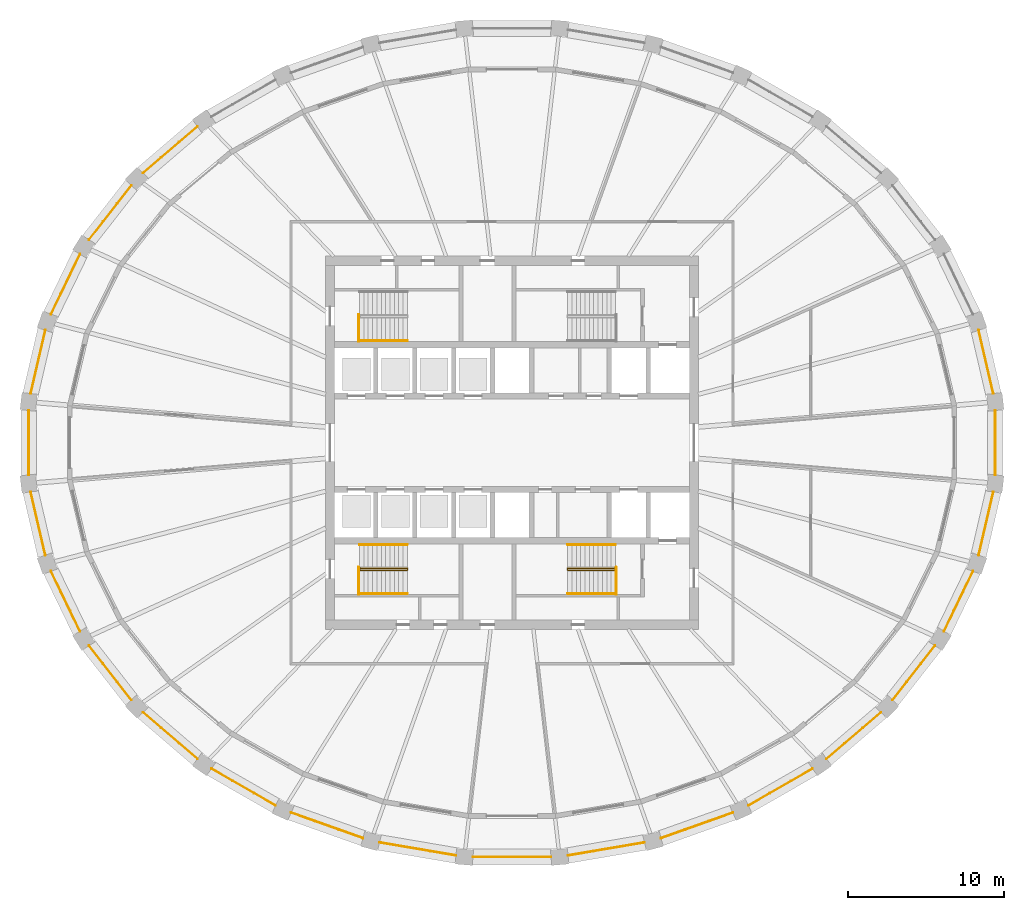
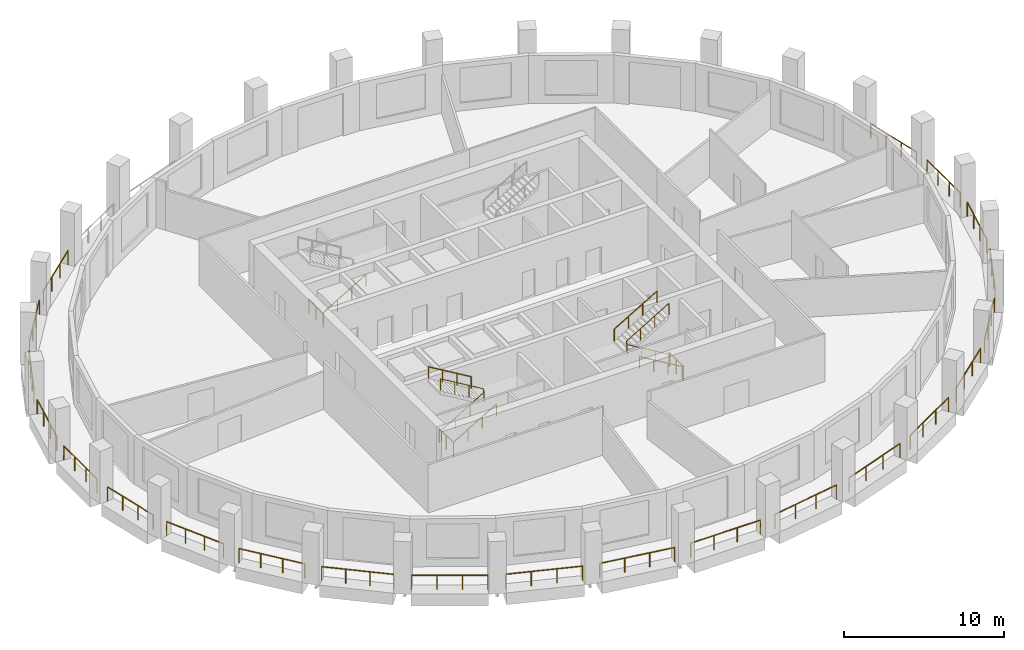
# One storey, part 8 of 10: 32 railings.
"""IFC4 building model written with IfcOpenShell, lengths in metres."""

from ifc_helpers import new_model, si_unit, direction, frame, origin, origin_2d, place, context, subcontext, project, spatial, circle, extrude, material, type_object, element, save


model = new_model("IFC4")

# Units and contexts
model_context = context("Model", 3, precision=1e-05, world=origin(), true_north=direction((0.0, 1.0)))
body_context = subcontext(model_context, "Body", "Model", "MODEL_VIEW")
ifc_project = project(units=[si_unit("LENGTHUNIT", "METRE"), si_unit("AREAUNIT", "SQUARE_METRE"), si_unit("VOLUMEUNIT", "CUBIC_METRE"), si_unit("PLANEANGLEUNIT", "RADIAN"), si_unit("MASSUNIT", "GRAM", prefix="KILO")], contexts=[model_context])

# Site, building, storey
site_placement = place(None, origin())
site = spatial("IfcSite", under=ifc_project, at=site_placement, CompositionType="ELEMENT")
building_placement = place(site_placement, origin())
building = spatial("IfcBuilding", under=site, at=building_placement, Name="Halqa Exchange Tower", CompositionType="ELEMENT")
storey_placement = place(building_placement, frame((0.0, 0.0, 246.89990234375)))
storey = spatial("IfcBuildingStorey", under=building, at=storey_placement, Name="L57", CompositionType="ELEMENT", Elevation=246.89990234375)

# Railings
ifc_material = material(Name="Stainless steel", Category="steel")
railing_type_1 = type_object("IfcRailingType", Name="Guard 1100 stainless steel", PredefinedType="GUARDRAIL", material=ifc_material)
railing_1_placement = place(storey_placement, frame((30.935791015625, 3.157958984375, 0.0)))
element("IfcRailing", 1, at=railing_1_placement, inside=storey, type_object=railing_type_1, Name="Loggia guard 1", PredefinedType="GUARDRAIL", context=body_context, shape_type="SweptSolid", body=[
    extrude(circle(Radius=0.02392578125, at=origin_2d()), frame((0.0, 0.0, 1.076171875), z_axis=(-0.226023818634, 0.974121775452, 0.0), x_axis=(-0.974121775452, -0.226023818634, 0.0)), (0.0, 0.0, 1.0), 4.18017578125),
    extrude(circle(Radius=0.02099609375, at=origin_2d()), origin(), (0.0, 0.0, 1.0), 1.052001953125),
    extrude(circle(Radius=0.02099609375, at=origin_2d()), frame((-0.31494140625, 1.357421875, 0.0)), (0.0, 0.0, 1.0), 1.052001953125),
    extrude(circle(Radius=0.02099609375, at=origin_2d()), frame((-0.6298828125, 2.714599609375, 0.0)), (0.0, 0.0, 1.0), 1.052001953125),
    extrude(circle(Radius=0.02099609375, at=origin_2d()), frame((-0.94482421875, 4.072021484375, 0.0)), (0.0, 0.0, 1.0), 1.052001953125),
])
railing_2_placement = place(storey_placement, frame((-20.21728515625, 20.321533203125, 0.0)))
element("IfcRailing", 2, at=railing_2_placement, inside=storey, type_object=railing_type_1, Name="Loggia guard 12", PredefinedType="GUARDRAIL", context=body_context, shape_type="SweptSolid", body=[
    extrude(circle(Radius=0.02392578125, at=origin_2d()), frame((0.0, 0.0, 1.076171875), z_axis=(-0.759260350244, -0.650787000905, 0.0), x_axis=(0.650787000905, -0.759260350244, 0.0)), (0.0, 0.0, 1.0), 4.59814453125),
    extrude(circle(Radius=0.02099609375, at=origin_2d()), origin(), (0.0, 0.0, 1.0), 1.052001953125),
    extrude(circle(Radius=0.02099609375, at=origin_2d()), frame((-1.163818359375, -0.99755859375, 0.0)), (0.0, 0.0, 1.0), 1.052001953125),
    extrude(circle(Radius=0.02099609375, at=origin_2d()), frame((-2.327392578125, -1.994873046875, 0.0)), (0.0, 0.0, 1.0), 1.052001953125),
    extrude(circle(Radius=0.02099609375, at=origin_2d()), frame((-3.4912109375, -2.992431640625, 0.0)), (0.0, 0.0, 1.0), 1.052001953125),
])
railing_3_placement = place(storey_placement, frame((-24.464111328125, 16.537353515625, 0.0)))
element("IfcRailing", 3, at=railing_3_placement, inside=storey, type_object=railing_type_1, Name="Loggia guard 13", PredefinedType="GUARDRAIL", context=body_context, shape_type="SweptSolid", body=[
    extrude(circle(Radius=0.02392578125, at=origin_2d()), frame((0.0, 0.0, 1.076171875), z_axis=(-0.614837099367, -0.788654132838, 0.0), x_axis=(0.788654132838, -0.614837099367, 0.0)), (0.0, 0.0, 1.0), 4.4287109375),
    extrude(circle(Radius=0.02099609375, at=origin_2d()), origin(), (0.0, 0.0, 1.0), 1.052001953125),
    extrude(circle(Radius=0.02099609375, at=origin_2d()), frame((-0.90771484375, -1.164306640625, 0.0)), (0.0, 0.0, 1.0), 1.052001953125),
    extrude(circle(Radius=0.02099609375, at=origin_2d()), frame((-1.815185546875, -2.328369140625, 0.0)), (0.0, 0.0, 1.0), 1.052001953125),
    extrude(circle(Radius=0.02099609375, at=origin_2d()), frame((-2.722900390625, -3.49267578125, 0.0)), (0.0, 0.0, 1.0), 1.052001953125),
])
railing_4_placement = place(storey_placement, frame((-27.764404296875, 12.115478515625, 0.0)))
element("IfcRailing", 4, at=railing_4_placement, inside=storey, type_object=railing_type_1, Name="Loggia guard 14", PredefinedType="GUARDRAIL", context=body_context, shape_type="SweptSolid", body=[
    extrude(circle(Radius=0.02392578125, at=origin_2d()), frame((0.0, 0.0, 1.076171875), z_axis=(-0.435128594947, -0.900368316779, 0.0), x_axis=(0.900368316779, -0.435128594947, 0.0)), (0.0, 0.0, 1.0), 4.281005859375),
    extrude(circle(Radius=0.02099609375, at=origin_2d()), origin(), (0.0, 0.0, 1.0), 1.052001953125),
    extrude(circle(Radius=0.02099609375, at=origin_2d()), frame((-0.620849609375, -1.284912109375, 0.0)), (0.0, 0.0, 1.0), 1.052001953125),
    extrude(circle(Radius=0.02099609375, at=origin_2d()), frame((-1.241943359375, -2.569580078125, 0.0)), (0.0, 0.0, 1.0), 1.052001953125),
    extrude(circle(Radius=0.02099609375, at=origin_2d()), frame((-1.86279296875, -3.8544921875, 0.0)), (0.0, 0.0, 1.0), 1.052001953125),
])
railing_5_placement = place(storey_placement, frame((-29.990966796875, 7.22998046875, 0.0)))
element("IfcRailing", 5, at=railing_5_placement, inside=storey, type_object=railing_type_1, Name="Loggia guard 15", PredefinedType="GUARDRAIL", context=body_context, shape_type="SweptSolid", body=[
    extrude(circle(Radius=0.02392578125, at=origin_2d()), frame((0.0, 0.0, 1.076171875), z_axis=(-0.226023818634, -0.974121775452, 0.0), x_axis=(0.974121775452, -0.226023818634, 0.0)), (0.0, 0.0, 1.0), 4.18017578125),
    extrude(circle(Radius=0.02099609375, at=origin_2d()), origin(), (0.0, 0.0, 1.0), 1.052001953125),
    extrude(circle(Radius=0.02099609375, at=origin_2d()), frame((-0.31494140625, -1.357421875, 0.0)), (0.0, 0.0, 1.0), 1.052001953125),
    extrude(circle(Radius=0.02099609375, at=origin_2d()), frame((-0.6298828125, -2.714599609375, 0.0)), (0.0, 0.0, 1.0), 1.052001953125),
    extrude(circle(Radius=0.02099609375, at=origin_2d()), frame((-0.94482421875, -4.072021484375, 0.0)), (0.0, 0.0, 1.0), 1.052001953125),
])
railing_6_placement = place(storey_placement, frame((-31.060302734375, 2.072021484375, 0.0)))
element("IfcRailing", 6, at=railing_6_placement, inside=storey, type_object=railing_type_1, Name="Loggia guard 16", PredefinedType="GUARDRAIL", context=body_context, shape_type="SweptSolid", body=[
    extrude(circle(Radius=0.02392578125, at=origin_2d()), frame((0.0, 0.0, 1.076171875), z_axis=(0.0, -1.0, 0.0), x_axis=(1.0, 0.0, 0.0)), (0.0, 0.0, 1.0), 4.14404296875),
    extrude(circle(Radius=0.02099609375, at=origin_2d()), origin(), (0.0, 0.0, 1.0), 1.052001953125),
    extrude(circle(Radius=0.02099609375, at=origin_2d()), frame((0.0, -1.38134765625, 0.0)), (0.0, 0.0, 1.0), 1.052001953125),
    extrude(circle(Radius=0.02099609375, at=origin_2d()), frame((0.0, -2.7626953125, 0.0)), (0.0, 0.0, 1.0), 1.052001953125),
    extrude(circle(Radius=0.02099609375, at=origin_2d()), frame((0.0, -4.14404296875, 0.0)), (0.0, 0.0, 1.0), 1.052001953125),
])
railing_7_placement = place(storey_placement, frame((-30.935791015625, -3.157958984375, 0.0)))
element("IfcRailing", 7, at=railing_7_placement, inside=storey, type_object=railing_type_1, Name="Loggia guard 17", PredefinedType="GUARDRAIL", context=body_context, shape_type="SweptSolid", body=[
    extrude(circle(Radius=0.02392578125, at=origin_2d()), frame((0.0, 0.0, 1.076171875), z_axis=(0.226023818634, -0.974121775452, 0.0), x_axis=(0.974121775452, 0.226023818634, 0.0)), (0.0, 0.0, 1.0), 4.18017578125),
    extrude(circle(Radius=0.02099609375, at=origin_2d()), origin(), (0.0, 0.0, 1.0), 1.052001953125),
    extrude(circle(Radius=0.02099609375, at=origin_2d()), frame((0.31494140625, -1.357421875, 0.0)), (0.0, 0.0, 1.0), 1.052001953125),
    extrude(circle(Radius=0.02099609375, at=origin_2d()), frame((0.6298828125, -2.714599609375, 0.0)), (0.0, 0.0, 1.0), 1.052001953125),
    extrude(circle(Radius=0.02099609375, at=origin_2d()), frame((0.94482421875, -4.072021484375, 0.0)), (0.0, 0.0, 1.0), 1.052001953125),
])
railing_8_placement = place(storey_placement, frame((-29.627197265625, -8.260986328125, 0.0)))
element("IfcRailing", 8, at=railing_8_placement, inside=storey, type_object=railing_type_1, Name="Loggia guard 18", PredefinedType="GUARDRAIL", context=body_context, shape_type="SweptSolid", body=[
    extrude(circle(Radius=0.02392578125, at=origin_2d()), frame((0.0, 0.0, 1.076171875), z_axis=(0.435128594947, -0.900368316779, 0.0), x_axis=(0.900368316779, 0.435128594947, 0.0)), (0.0, 0.0, 1.0), 4.281005859375),
    extrude(circle(Radius=0.02099609375, at=origin_2d()), origin(), (0.0, 0.0, 1.0), 1.052001953125),
    extrude(circle(Radius=0.02099609375, at=origin_2d()), frame((0.620849609375, -1.284912109375, 0.0)), (0.0, 0.0, 1.0), 1.052001953125),
    extrude(circle(Radius=0.02099609375, at=origin_2d()), frame((1.241943359375, -2.569580078125, 0.0)), (0.0, 0.0, 1.0), 1.052001953125),
    extrude(circle(Radius=0.02099609375, at=origin_2d()), frame((1.86279296875, -3.8544921875, 0.0)), (0.0, 0.0, 1.0), 1.052001953125),
])
railing_9_placement = place(storey_placement, frame((-27.18701171875, -13.044677734375, 0.0)))
element("IfcRailing", 9, at=railing_9_placement, inside=storey, type_object=railing_type_1, Name="Loggia guard 19", PredefinedType="GUARDRAIL", context=body_context, shape_type="SweptSolid", body=[
    extrude(circle(Radius=0.02392578125, at=origin_2d()), frame((0.0, 0.0, 1.076171875), z_axis=(0.614837099367, -0.788654132838, 0.0), x_axis=(0.788654132838, 0.614837099367, 0.0)), (0.0, 0.0, 1.0), 4.4287109375),
    extrude(circle(Radius=0.02099609375, at=origin_2d()), origin(), (0.0, 0.0, 1.0), 1.052001953125),
    extrude(circle(Radius=0.02099609375, at=origin_2d()), frame((0.90771484375, -1.164306640625, 0.0)), (0.0, 0.0, 1.0), 1.052001953125),
    extrude(circle(Radius=0.02099609375, at=origin_2d()), frame((1.815185546875, -2.328369140625, 0.0)), (0.0, 0.0, 1.0), 1.052001953125),
    extrude(circle(Radius=0.02099609375, at=origin_2d()), frame((2.722900390625, -3.49267578125, 0.0)), (0.0, 0.0, 1.0), 1.052001953125),
])
railing_10_placement = place(storey_placement, frame((-23.70849609375, -17.3291015625, 0.0)))
element("IfcRailing", 10, at=railing_10_placement, inside=storey, type_object=railing_type_1, Name="Loggia guard 20", PredefinedType="GUARDRAIL", context=body_context, shape_type="SweptSolid", body=[
    extrude(circle(Radius=0.02392578125, at=origin_2d()), frame((0.0, 0.0, 1.076171875), z_axis=(0.759260350244, -0.650787000905, 0.0), x_axis=(0.650787000905, 0.759260350244, 0.0)), (0.0, 0.0, 1.0), 4.59814453125),
    extrude(circle(Radius=0.02099609375, at=origin_2d()), origin(), (0.0, 0.0, 1.0), 1.052001953125),
    extrude(circle(Radius=0.02099609375, at=origin_2d()), frame((1.163818359375, -0.99755859375, 0.0)), (0.0, 0.0, 1.0), 1.052001953125),
    extrude(circle(Radius=0.02099609375, at=origin_2d()), frame((2.327392578125, -1.994873046875, 0.0)), (0.0, 0.0, 1.0), 1.052001953125),
    extrude(circle(Radius=0.02099609375, at=origin_2d()), frame((3.4912109375, -2.992431640625, 0.0)), (0.0, 0.0, 1.0), 1.052001953125),
])
railing_11_placement = place(storey_placement, frame((-19.322509765625, -20.952880859375, 0.0)))
element("IfcRailing", 11, at=railing_11_placement, inside=storey, type_object=railing_type_1, Name="Loggia guard 21", PredefinedType="GUARDRAIL", context=body_context, shape_type="SweptSolid", body=[
    extrude(circle(Radius=0.02392578125, at=origin_2d()), frame((0.0, 0.0, 1.076171875), z_axis=(0.867760081541, -0.496983340651, 0.0), x_axis=(0.496983340651, 0.867760081541, 0.0)), (0.0, 0.0, 1.0), 4.7626953125),
    extrude(circle(Radius=0.02099609375, at=origin_2d()), origin(), (0.0, 0.0, 1.0), 1.052001953125),
    extrude(circle(Radius=0.02099609375, at=origin_2d()), frame((1.377685546875, -0.7890625, 0.0)), (0.0, 0.0, 1.0), 1.052001953125),
    extrude(circle(Radius=0.02099609375, at=origin_2d()), frame((2.755126953125, -1.577880859375, 0.0)), (0.0, 0.0, 1.0), 1.052001953125),
    extrude(circle(Radius=0.02099609375, at=origin_2d()), frame((4.1328125, -2.366943359375, 0.0)), (0.0, 0.0, 1.0), 1.052001953125),
])
railing_12_placement = place(storey_placement, frame((-14.194091796875, -23.777099609375, 0.0)))
element("IfcRailing", 12, at=railing_12_placement, inside=storey, type_object=railing_type_1, Name="Loggia guard 22", PredefinedType="GUARDRAIL", context=body_context, shape_type="SweptSolid", body=[
    extrude(circle(Radius=0.02392578125, at=origin_2d()), frame((0.0, 0.0, 1.076171875), z_axis=(0.942363882557, -0.334589768002, 0.0), x_axis=(0.334589768002, 0.942363882557, 0.0)), (0.0, 0.0, 1.0), 4.898193359375),
    extrude(circle(Radius=0.02099609375, at=origin_2d()), origin(), (0.0, 0.0, 1.0), 1.052001953125),
    extrude(circle(Radius=0.02099609375, at=origin_2d()), frame((1.53857421875, -0.54638671875, 0.0)), (0.0, 0.0, 1.0), 1.052001953125),
    extrude(circle(Radius=0.02099609375, at=origin_2d()), frame((3.077392578125, -1.092529296875, 0.0)), (0.0, 0.0, 1.0), 1.052001953125),
    extrude(circle(Radius=0.02099609375, at=origin_2d()), frame((4.615966796875, -1.638916015625, 0.0)), (0.0, 0.0, 1.0), 1.052001953125),
])
railing_13_placement = place(storey_placement, frame((-8.517578125, -25.6923828125, 0.0)))
element("IfcRailing", 13, at=railing_13_placement, inside=storey, type_object=railing_type_1, Name="Loggia guard 23", PredefinedType="GUARDRAIL", context=body_context, shape_type="SweptSolid", body=[
    extrude(circle(Radius=0.02392578125, at=origin_2d()), frame((0.0, 0.0, 1.076171875), z_axis=(0.985769089501, -0.16810503319, 0.0), x_axis=(0.16810503319, 0.985769089501, 0.0)), (0.0, 0.0, 1.0), 4.9873046875),
    extrude(circle(Radius=0.02099609375, at=origin_2d()), origin(), (0.0, 0.0, 1.0), 1.052001953125),
    extrude(circle(Radius=0.02099609375, at=origin_2d()), frame((1.638671875, -0.279541015625, 0.0)), (0.0, 0.0, 1.0), 1.052001953125),
    extrude(circle(Radius=0.02099609375, at=origin_2d()), frame((3.277587890625, -0.558837890625, 0.0)), (0.0, 0.0, 1.0), 1.052001953125),
    extrude(circle(Radius=0.02099609375, at=origin_2d()), frame((4.916259765625, -0.83837890625, 0.0)), (0.0, 0.0, 1.0), 1.052001953125),
])
railing_14_placement = place(storey_placement, frame((-2.50927734375, -26.623046875, 0.0)))
element("IfcRailing", 14, at=railing_14_placement, inside=storey, type_object=railing_type_1, Name="Loggia guard 24", PredefinedType="GUARDRAIL", context=body_context, shape_type="SweptSolid", body=[
    extrude(circle(Radius=0.02392578125, at=origin_2d()), frame((0.0, 0.0, 1.076171875), z_axis=(1.0, 0.0, 0.0), x_axis=(0.0, 1.0, 0.0)), (0.0, 0.0, 1.0), 5.0185546875),
    extrude(circle(Radius=0.02099609375, at=origin_2d()), origin(), (0.0, 0.0, 1.0), 1.052001953125),
    extrude(circle(Radius=0.02099609375, at=origin_2d()), frame((1.6728515625, 0.0, 0.0)), (0.0, 0.0, 1.0), 1.052001953125),
    extrude(circle(Radius=0.02099609375, at=origin_2d()), frame((3.345703125, 0.0, 0.0)), (0.0, 0.0, 1.0), 1.052001953125),
    extrude(circle(Radius=0.02099609375, at=origin_2d()), frame((5.0185546875, 0.0, 0.0)), (0.0, 0.0, 1.0), 1.052001953125),
])
railing_15_placement = place(storey_placement, frame((3.601318359375, -26.53076171875, 0.0)))
element("IfcRailing", 15, at=railing_15_placement, inside=storey, type_object=railing_type_1, Name="Loggia guard 25", PredefinedType="GUARDRAIL", context=body_context, shape_type="SweptSolid", body=[
    extrude(circle(Radius=0.02392578125, at=origin_2d()), frame((0.0, 0.0, 1.076171875), z_axis=(0.985769089501, 0.16810503319, 0.0), x_axis=(-0.16810503319, 0.985769089501, 0.0)), (0.0, 0.0, 1.0), 4.9873046875),
    extrude(circle(Radius=0.02099609375, at=origin_2d()), origin(), (0.0, 0.0, 1.0), 1.052001953125),
    extrude(circle(Radius=0.02099609375, at=origin_2d()), frame((1.638671875, 0.279541015625, 0.0)), (0.0, 0.0, 1.0), 1.052001953125),
    extrude(circle(Radius=0.02099609375, at=origin_2d()), frame((3.277587890625, 0.558837890625, 0.0)), (0.0, 0.0, 1.0), 1.052001953125),
    extrude(circle(Radius=0.02099609375, at=origin_2d()), frame((4.916259765625, 0.83837890625, 0.0)), (0.0, 0.0, 1.0), 1.052001953125),
])
railing_16_placement = place(storey_placement, frame((9.578125, -25.416015625, 0.0)))
element("IfcRailing", 16, at=railing_16_placement, inside=storey, type_object=railing_type_1, Name="Loggia guard 26", PredefinedType="GUARDRAIL", context=body_context, shape_type="SweptSolid", body=[
    extrude(circle(Radius=0.02392578125, at=origin_2d()), frame((0.0, 0.0, 1.076171875), z_axis=(0.942363882557, 0.334589768002, 0.0), x_axis=(-0.334589768002, 0.942363882557, 0.0)), (0.0, 0.0, 1.0), 4.898193359375),
    extrude(circle(Radius=0.02099609375, at=origin_2d()), origin(), (0.0, 0.0, 1.0), 1.052001953125),
    extrude(circle(Radius=0.02099609375, at=origin_2d()), frame((1.53857421875, 0.54638671875, 0.0)), (0.0, 0.0, 1.0), 1.052001953125),
    extrude(circle(Radius=0.02099609375, at=origin_2d()), frame((3.077392578125, 1.092529296875, 0.0)), (0.0, 0.0, 1.0), 1.052001953125),
    extrude(circle(Radius=0.02099609375, at=origin_2d()), frame((4.615966796875, 1.638916015625, 0.0)), (0.0, 0.0, 1.0), 1.052001953125),
])
railing_17_placement = place(storey_placement, frame((15.189697265625, -23.31982421875, 0.0)))
element("IfcRailing", 17, at=railing_17_placement, inside=storey, type_object=railing_type_1, Name="Loggia guard 27", PredefinedType="GUARDRAIL", context=body_context, shape_type="SweptSolid", body=[
    extrude(circle(Radius=0.02392578125, at=origin_2d()), frame((0.0, 0.0, 1.076171875), z_axis=(0.867760081541, 0.496983340651, 0.0), x_axis=(-0.496983340651, 0.867760081541, 0.0)), (0.0, 0.0, 1.0), 4.7626953125),
    extrude(circle(Radius=0.02099609375, at=origin_2d()), origin(), (0.0, 0.0, 1.0), 1.052001953125),
    extrude(circle(Radius=0.02099609375, at=origin_2d()), frame((1.377685546875, 0.7890625, 0.0)), (0.0, 0.0, 1.0), 1.052001953125),
    extrude(circle(Radius=0.02099609375, at=origin_2d()), frame((2.755126953125, 1.577880859375, 0.0)), (0.0, 0.0, 1.0), 1.052001953125),
    extrude(circle(Radius=0.02099609375, at=origin_2d()), frame((4.1328125, 2.366943359375, 0.0)), (0.0, 0.0, 1.0), 1.052001953125),
])
railing_18_placement = place(storey_placement, frame((20.21728515625, -20.321533203125, 0.0)))
element("IfcRailing", 18, at=railing_18_placement, inside=storey, type_object=railing_type_1, Name="Loggia guard 28", PredefinedType="GUARDRAIL", context=body_context, shape_type="SweptSolid", body=[
    extrude(circle(Radius=0.02392578125, at=origin_2d()), frame((0.0, 0.0, 1.076171875), z_axis=(0.759260350244, 0.650787000905, 0.0), x_axis=(-0.650787000905, 0.759260350244, 0.0)), (0.0, 0.0, 1.0), 4.59814453125),
    extrude(circle(Radius=0.02099609375, at=origin_2d()), origin(), (0.0, 0.0, 1.0), 1.052001953125),
    extrude(circle(Radius=0.02099609375, at=origin_2d()), frame((1.163818359375, 0.99755859375, 0.0)), (0.0, 0.0, 1.0), 1.052001953125),
    extrude(circle(Radius=0.02099609375, at=origin_2d()), frame((2.327392578125, 1.994873046875, 0.0)), (0.0, 0.0, 1.0), 1.052001953125),
    extrude(circle(Radius=0.02099609375, at=origin_2d()), frame((3.4912109375, 2.992431640625, 0.0)), (0.0, 0.0, 1.0), 1.052001953125),
])
railing_19_placement = place(storey_placement, frame((24.464111328125, -16.537353515625, 0.0)))
element("IfcRailing", 19, at=railing_19_placement, inside=storey, type_object=railing_type_1, Name="Loggia guard 29", PredefinedType="GUARDRAIL", context=body_context, shape_type="SweptSolid", body=[
    extrude(circle(Radius=0.02392578125, at=origin_2d()), frame((0.0, 0.0, 1.076171875), z_axis=(0.614837099367, 0.788654132838, 0.0), x_axis=(-0.788654132838, 0.614837099367, 0.0)), (0.0, 0.0, 1.0), 4.4287109375),
    extrude(circle(Radius=0.02099609375, at=origin_2d()), origin(), (0.0, 0.0, 1.0), 1.052001953125),
    extrude(circle(Radius=0.02099609375, at=origin_2d()), frame((0.90771484375, 1.164306640625, 0.0)), (0.0, 0.0, 1.0), 1.052001953125),
    extrude(circle(Radius=0.02099609375, at=origin_2d()), frame((1.815185546875, 2.328369140625, 0.0)), (0.0, 0.0, 1.0), 1.052001953125),
    extrude(circle(Radius=0.02099609375, at=origin_2d()), frame((2.722900390625, 3.49267578125, 0.0)), (0.0, 0.0, 1.0), 1.052001953125),
])
railing_20_placement = place(storey_placement, frame((27.764404296875, -12.115478515625, 0.0)))
element("IfcRailing", 20, at=railing_20_placement, inside=storey, type_object=railing_type_1, Name="Loggia guard 30", PredefinedType="GUARDRAIL", context=body_context, shape_type="SweptSolid", body=[
    extrude(circle(Radius=0.02392578125, at=origin_2d()), frame((0.0, 0.0, 1.076171875), z_axis=(0.435128594947, 0.900368316779, 0.0), x_axis=(-0.900368316779, 0.435128594947, 0.0)), (0.0, 0.0, 1.0), 4.281005859375),
    extrude(circle(Radius=0.02099609375, at=origin_2d()), origin(), (0.0, 0.0, 1.0), 1.052001953125),
    extrude(circle(Radius=0.02099609375, at=origin_2d()), frame((0.620849609375, 1.284912109375, 0.0)), (0.0, 0.0, 1.0), 1.052001953125),
    extrude(circle(Radius=0.02099609375, at=origin_2d()), frame((1.241943359375, 2.569580078125, 0.0)), (0.0, 0.0, 1.0), 1.052001953125),
    extrude(circle(Radius=0.02099609375, at=origin_2d()), frame((1.86279296875, 3.8544921875, 0.0)), (0.0, 0.0, 1.0), 1.052001953125),
])
railing_21_placement = place(storey_placement, frame((29.990966796875, -7.22998046875, 0.0)))
element("IfcRailing", 21, at=railing_21_placement, inside=storey, type_object=railing_type_1, Name="Loggia guard 31", PredefinedType="GUARDRAIL", context=body_context, shape_type="SweptSolid", body=[
    extrude(circle(Radius=0.02392578125, at=origin_2d()), frame((0.0, 0.0, 1.076171875), z_axis=(0.226023818634, 0.974121775452, 0.0), x_axis=(-0.974121775452, 0.226023818634, 0.0)), (0.0, 0.0, 1.0), 4.18017578125),
    extrude(circle(Radius=0.02099609375, at=origin_2d()), origin(), (0.0, 0.0, 1.0), 1.052001953125),
    extrude(circle(Radius=0.02099609375, at=origin_2d()), frame((0.31494140625, 1.357421875, 0.0)), (0.0, 0.0, 1.0), 1.052001953125),
    extrude(circle(Radius=0.02099609375, at=origin_2d()), frame((0.6298828125, 2.714599609375, 0.0)), (0.0, 0.0, 1.0), 1.052001953125),
    extrude(circle(Radius=0.02099609375, at=origin_2d()), frame((0.94482421875, 4.072021484375, 0.0)), (0.0, 0.0, 1.0), 1.052001953125),
])
railing_22_placement = place(storey_placement, frame((31.060302734375, -2.072021484375, 0.0)))
element("IfcRailing", 22, at=railing_22_placement, inside=storey, type_object=railing_type_1, Name="Loggia guard 32", PredefinedType="GUARDRAIL", context=body_context, shape_type="SweptSolid", body=[
    extrude(circle(Radius=0.02392578125, at=origin_2d()), frame((0.0, 0.0, 1.076171875), z_axis=(0.0, 1.0, 0.0), x_axis=(-1.0, 0.0, 0.0)), (0.0, 0.0, 1.0), 4.14404296875),
    extrude(circle(Radius=0.02099609375, at=origin_2d()), origin(), (0.0, 0.0, 1.0), 1.052001953125),
    extrude(circle(Radius=0.02099609375, at=origin_2d()), frame((0.0, 1.38134765625, 0.0)), (0.0, 0.0, 1.0), 1.052001953125),
    extrude(circle(Radius=0.02099609375, at=origin_2d()), frame((0.0, 2.7626953125, 0.0)), (0.0, 0.0, 1.0), 1.052001953125),
    extrude(circle(Radius=0.02099609375, at=origin_2d()), frame((0.0, 4.14404296875, 0.0)), (0.0, 0.0, 1.0), 1.052001953125),
])
railing_type_2 = type_object("IfcRailingType", Name="Stair handrail 900", PredefinedType="HANDRAIL", material=ifc_material)
railing_23_placement = place(storey_placement, frame((-9.800048828125, 6.550048828125, 0.166748046875)))
element("IfcRailing", 23, at=railing_23_placement, inside=storey, type_object=railing_type_2, Name="Handrail ST1.2", PredefinedType="HANDRAIL", context=body_context, shape_type="SweptSolid", body=[
    extrude(circle(Radius=0.02392578125, at=origin_2d()), frame((0.0, 0.0, 0.8759765625), z_axis=(0.859308565015, 0.0, 0.511457515432), x_axis=(0.0, 1.0, 0.0)), (0.0, 0.0, 1.0), 3.58447265625),
    extrude(circle(Radius=0.02099609375, at=origin_2d()), origin(), (0.0, 0.0, 1.0), 0.851806640625),
    extrude(circle(Radius=0.02099609375, at=origin_2d()), frame((1.026611328125, 0.0, 0.611083984375)), (0.0, 0.0, 1.0), 0.851806640625),
    extrude(circle(Radius=0.02099609375, at=origin_2d()), frame((2.053466796875, 0.0, 1.22216796875)), (0.0, 0.0, 1.0), 0.851806640625),
    extrude(circle(Radius=0.02099609375, at=origin_2d()), frame((3.080078125, 0.0, 1.833251953125)), (0.0, 0.0, 1.0), 0.851806640625),
])
railing_24_placement = place(storey_placement, frame((-9.800048828125, -8.18994140625, 0.166748046875)))
element("IfcRailing", 24, at=railing_24_placement, inside=storey, type_object=railing_type_2, Name="Handrail ST3.1", PredefinedType="HANDRAIL", context=body_context, shape_type="SweptSolid", body=[
    extrude(circle(Radius=0.02392578125, at=origin_2d()), frame((0.0, 0.0, 0.8759765625), z_axis=(0.859308565015, 0.0, 0.511457515432), x_axis=(0.0, 1.0, 0.0)), (0.0, 0.0, 1.0), 3.58447265625),
    extrude(circle(Radius=0.02392578125, at=origin_2d()), frame((3.080078125, 0.0, 2.708984375), z_axis=(0.0, 0.614500226555, 0.788916644243), x_axis=(-1.0, 0.0, 0.0)), (0.0, 0.0, 1.0), 0.21142578125),
    extrude(circle(Radius=0.02392578125, at=origin_2d()), frame((3.080078125, 0.1298828125, 2.8759765625), z_axis=(-0.859308565015, 0.0, 0.511457515432), x_axis=(0.0, -1.0, 0.0)), (0.0, 0.0, 1.0), 3.58447265625),
    extrude(circle(Radius=0.02099609375, at=origin_2d()), origin(), (0.0, 0.0, 1.0), 0.851806640625),
    extrude(circle(Radius=0.02099609375, at=origin_2d()), frame((1.026611328125, 0.0, 0.611083984375)), (0.0, 0.0, 1.0), 0.851806640625),
    extrude(circle(Radius=0.02099609375, at=origin_2d()), frame((2.053466796875, 0.0, 1.22216796875)), (0.0, 0.0, 1.0), 0.851806640625),
    extrude(circle(Radius=0.02099609375, at=origin_2d()), frame((3.080078125, 0.0, 1.833251953125)), (0.0, 0.0, 1.0), 0.851806640625),
    extrude(circle(Radius=0.02099609375, at=origin_2d()), frame((3.080078125, 0.1298828125, 2.0)), (0.0, 0.0, 1.0), 0.851806640625),
    extrude(circle(Radius=0.02099609375, at=origin_2d()), frame((2.053466796875, 0.1298828125, 2.611083984375)), (0.0, 0.0, 1.0), 0.851806640625),
    extrude(circle(Radius=0.02099609375, at=origin_2d()), frame((1.026611328125, 0.1298828125, 3.22216796875)), (0.0, 0.0, 1.0), 0.851806640625),
    extrude(circle(Radius=0.02099609375, at=origin_2d()), frame((0.0, 0.1298828125, 3.833251953125)), (0.0, 0.0, 1.0), 0.851806640625),
])
railing_25_placement = place(storey_placement, frame((-9.800048828125, -9.699951171875, 0.166748046875)))
element("IfcRailing", 25, at=railing_25_placement, inside=storey, type_object=railing_type_2, Name="Handrail ST3.2", PredefinedType="HANDRAIL", context=body_context, shape_type="SweptSolid", body=[
    extrude(circle(Radius=0.02392578125, at=origin_2d()), frame((0.0, 0.0, 0.8759765625), z_axis=(0.859308565015, 0.0, 0.511457515432), x_axis=(0.0, 1.0, 0.0)), (0.0, 0.0, 1.0), 3.58447265625),
    extrude(circle(Radius=0.02099609375, at=origin_2d()), origin(), (0.0, 0.0, 1.0), 0.851806640625),
    extrude(circle(Radius=0.02099609375, at=origin_2d()), frame((1.026611328125, 0.0, 0.611083984375)), (0.0, 0.0, 1.0), 0.851806640625),
    extrude(circle(Radius=0.02099609375, at=origin_2d()), frame((2.053466796875, 0.0, 1.22216796875)), (0.0, 0.0, 1.0), 0.851806640625),
    extrude(circle(Radius=0.02099609375, at=origin_2d()), frame((3.080078125, 0.0, 1.833251953125)), (0.0, 0.0, 1.0), 0.851806640625),
])
railing_26_placement = place(storey_placement, frame((-6.719970703125, -6.550048828125, 2.166748046875)))
element("IfcRailing", 26, at=railing_26_placement, inside=storey, type_object=railing_type_2, Name="Handrail ST3.3", PredefinedType="HANDRAIL", context=body_context, shape_type="SweptSolid", body=[
    extrude(circle(Radius=0.02392578125, at=origin_2d()), frame((0.0, 0.0, 0.8759765625), z_axis=(-0.859308565015, 0.0, 0.511457515432), x_axis=(0.0, -1.0, 0.0)), (0.0, 0.0, 1.0), 3.58447265625),
    extrude(circle(Radius=0.02099609375, at=origin_2d()), origin(), (0.0, 0.0, 1.0), 0.851806640625),
    extrude(circle(Radius=0.02099609375, at=origin_2d()), frame((-1.026611328125, 0.0, 0.611083984375)), (0.0, 0.0, 1.0), 0.851806640625),
    extrude(circle(Radius=0.02099609375, at=origin_2d()), frame((-2.053466796875, 0.0, 1.22216796875)), (0.0, 0.0, 1.0), 0.851806640625),
    extrude(circle(Radius=0.02099609375, at=origin_2d()), frame((-3.080078125, 0.0, 1.833251953125)), (0.0, 0.0, 1.0), 0.851806640625),
])
railing_27_placement = place(storey_placement, frame((6.64990234375, -8.18994140625, 0.166748046875)))
element("IfcRailing", 27, at=railing_27_placement, inside=storey, type_object=railing_type_2, Name="Handrail ST4.1", PredefinedType="HANDRAIL", context=body_context, shape_type="SweptSolid", body=[
    extrude(circle(Radius=0.02392578125, at=origin_2d()), frame((0.0, 0.0, 0.8759765625), z_axis=(-0.859290745958, 0.0, 0.51148745235), x_axis=(0.0, -1.0, 0.0)), (0.0, 0.0, 1.0), 3.584228515625),
    extrude(circle(Radius=0.02392578125, at=origin_2d()), frame((-3.079833984375, 0.0, 2.708984375), z_axis=(0.0, 0.614500226555, 0.788916644243), x_axis=(-1.0, 0.0, 0.0)), (0.0, 0.0, 1.0), 0.21142578125),
    extrude(circle(Radius=0.02392578125, at=origin_2d()), frame((-3.079833984375, 0.1298828125, 2.8759765625), z_axis=(0.859290745958, 0.0, 0.51148745235), x_axis=(0.0, 1.0, 0.0)), (0.0, 0.0, 1.0), 3.584228515625),
    extrude(circle(Radius=0.02099609375, at=origin_2d()), origin(), (0.0, 0.0, 1.0), 0.851806640625),
    extrude(circle(Radius=0.02099609375, at=origin_2d()), frame((-1.026611328125, 0.0, 0.611083984375)), (0.0, 0.0, 1.0), 0.851806640625),
    extrude(circle(Radius=0.02099609375, at=origin_2d()), frame((-2.05322265625, 0.0, 1.22216796875)), (0.0, 0.0, 1.0), 0.851806640625),
    extrude(circle(Radius=0.02099609375, at=origin_2d()), frame((-3.079833984375, 0.0, 1.833251953125)), (0.0, 0.0, 1.0), 0.851806640625),
    extrude(circle(Radius=0.02099609375, at=origin_2d()), frame((-3.079833984375, 0.1298828125, 2.0)), (0.0, 0.0, 1.0), 0.851806640625),
    extrude(circle(Radius=0.02099609375, at=origin_2d()), frame((-2.05322265625, 0.1298828125, 2.611083984375)), (0.0, 0.0, 1.0), 0.851806640625),
    extrude(circle(Radius=0.02099609375, at=origin_2d()), frame((-1.026611328125, 0.1298828125, 3.22216796875)), (0.0, 0.0, 1.0), 0.851806640625),
    extrude(circle(Radius=0.02099609375, at=origin_2d()), frame((0.0, 0.1298828125, 3.833251953125)), (0.0, 0.0, 1.0), 0.851806640625),
])
railing_28_placement = place(storey_placement, frame((6.64990234375, -9.699951171875, 0.166748046875)))
element("IfcRailing", 28, at=railing_28_placement, inside=storey, type_object=railing_type_2, Name="Handrail ST4.2", PredefinedType="HANDRAIL", context=body_context, shape_type="SweptSolid", body=[
    extrude(circle(Radius=0.02392578125, at=origin_2d()), frame((0.0, 0.0, 0.8759765625), z_axis=(-0.859290745958, 0.0, 0.51148745235), x_axis=(0.0, -1.0, 0.0)), (0.0, 0.0, 1.0), 3.584228515625),
    extrude(circle(Radius=0.02099609375, at=origin_2d()), origin(), (0.0, 0.0, 1.0), 0.851806640625),
    extrude(circle(Radius=0.02099609375, at=origin_2d()), frame((-1.026611328125, 0.0, 0.611083984375)), (0.0, 0.0, 1.0), 0.851806640625),
    extrude(circle(Radius=0.02099609375, at=origin_2d()), frame((-2.05322265625, 0.0, 1.22216796875)), (0.0, 0.0, 1.0), 0.851806640625),
    extrude(circle(Radius=0.02099609375, at=origin_2d()), frame((-3.079833984375, 0.0, 1.833251953125)), (0.0, 0.0, 1.0), 0.851806640625),
])
railing_29_placement = place(storey_placement, frame((3.570068359375, -6.550048828125, 2.166748046875)))
element("IfcRailing", 29, at=railing_29_placement, inside=storey, type_object=railing_type_2, Name="Handrail ST4.3", PredefinedType="HANDRAIL", context=body_context, shape_type="SweptSolid", body=[
    extrude(circle(Radius=0.02392578125, at=origin_2d()), frame((0.0, 0.0, 0.8759765625), z_axis=(0.859290745958, 0.0, 0.51148745235), x_axis=(0.0, 1.0, 0.0)), (0.0, 0.0, 1.0), 3.584228515625),
    extrude(circle(Radius=0.02099609375, at=origin_2d()), origin(), (0.0, 0.0, 1.0), 0.851806640625),
    extrude(circle(Radius=0.02099609375, at=origin_2d()), frame((1.026611328125, 0.0, 0.611083984375)), (0.0, 0.0, 1.0), 0.851806640625),
    extrude(circle(Radius=0.02099609375, at=origin_2d()), frame((2.05322265625, 0.0, 1.22216796875)), (0.0, 0.0, 1.0), 0.851806640625),
    extrude(circle(Radius=0.02099609375, at=origin_2d()), frame((3.079833984375, 0.0, 1.833251953125)), (0.0, 0.0, 1.0), 0.851806640625),
])
railing_type_3 = type_object("IfcRailingType", Name="Stair well guard 1100", PredefinedType="GUARDRAIL", material=ifc_material)
for number, where, name in (
    (30, (-9.85009765625, 6.5, 0.0), "Guard ST1 well"),
    (31, (-9.85009765625, -9.75, 0.0), "Guard ST3 well"),
    (32, (6.699951171875, -9.75, 0.0), "Guard ST4 well"),
):
    element("IfcRailing", number, at=place(storey_placement, frame(where)), inside=storey, type_object=railing_type_3, Name=name, PredefinedType="GUARDRAIL", context=body_context, shape_type="SweptSolid", body=[
        extrude(circle(Radius=0.02392578125, at=origin_2d()), frame((0.0, 0.0, 1.076171875), z_axis=(0.0, 1.0, 0.0), x_axis=(-1.0, 0.0, 0.0)), (0.0, 0.0, 1.0), 1.75),
        extrude(circle(Radius=0.02099609375, at=origin_2d()), origin(), (0.0, 0.0, 1.0), 1.052001953125),
        extrude(circle(Radius=0.02099609375, at=origin_2d()), frame((0.0, 0.875, 0.0)), (0.0, 0.0, 1.0), 1.052001953125),
        extrude(circle(Radius=0.02099609375, at=origin_2d()), frame((0.0, 1.75, 0.0)), (0.0, 0.0, 1.0), 1.052001953125),
    ])

save(model, "model.ifc")
